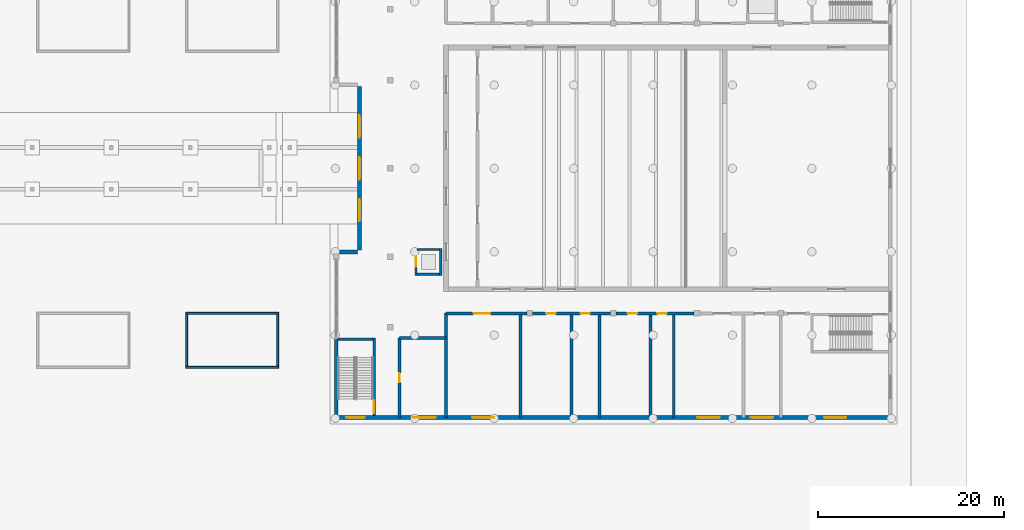
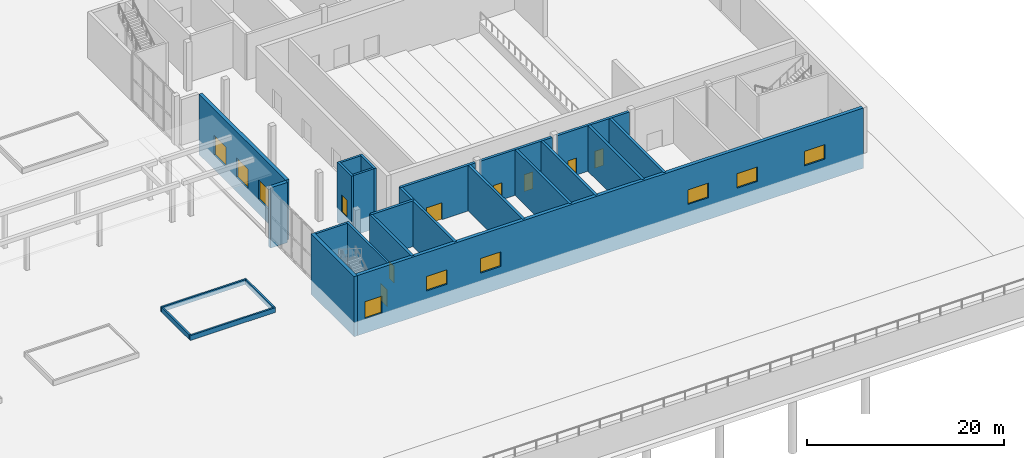
# One storey, part 24 of 47: 25 walls, 12 doors, 5 windows, 17 openings.
"""IFC4 building model written with IfcOpenShell, lengths in metres."""

import ifcopenshell
import ifcopenshell.guid

model = None  # the IFC model being written
_history = None  # IfcOwnerHistory: only IFC2X3 demands one
_inside = {}  # id of a spatial element -> (the spatial element, [elements in it])
_under = {}  # id of a project, library or spatial element -> (it, [spatial elements below it])
_declared = {}  # id of a project -> (the project, [libraries it declares])
_typed = {}  # id of a type object -> (the type object, [elements of that type])
_made_of = {}  # id of a material, layer set ... -> (it, [elements and type objects made of it])


def new_model(schema):
    """Start an empty IFC model of exactly this schema.

    Asked for "IFC4X3", IfcOpenShell would pick the latest addendum, in which some entities
    have other attributes; the version numbers below select the first issue.
    IFC2X3 requires an IfcOwnerHistory on every rooted entity: one is made here for all.
    """
    global model, _history
    if schema == "IFC4X3":
        model = ifcopenshell.file(schema_version=(4, 3, 0, 0))
    else:
        model = ifcopenshell.file(schema=schema)
    _inside.clear()
    _under.clear()
    _declared.clear()
    _typed.clear()
    _made_of.clear()
    _history = None
    if model.schema == "IFC2X3":
        org = make("IfcOrganization", Name="unknown")
        user = make(
            "IfcPersonAndOrganization",
            ThePerson=make("IfcPerson", FamilyName="unknown"),
            TheOrganization=org,
        )
        app = make(
            "IfcApplication",
            ApplicationDeveloper=org,
            Version="unknown",
            ApplicationFullName="unknown",
            ApplicationIdentifier="unknown",
        )
        _history = make(
            "IfcOwnerHistory",
            OwningUser=user,
            OwningApplication=app,
            ChangeAction="ADDED",
            CreationDate=0,
        )
    return model


def make(cls, **values):
    """One entity of the class cls with the attributes given. An attribute that is None is left unset."""
    return model.create_entity(
        cls, **{name: value for name, value in values.items() if value is not None}
    )


def rooted(cls, **values):
    """An entity with a GlobalId (a new one), such as an element, a storey or a relation."""
    return make(cls, GlobalId=ifcopenshell.guid.new(), OwnerHistory=_history, **values)


def si_unit(unit_type, name, prefix=None):
    """IfcSIUnit, for example si_unit("LENGTHUNIT", "METRE", prefix="MILLI")."""
    return make("IfcSIUnit", UnitType=unit_type, Prefix=prefix, Name=name)


def assignment(units):
    """IfcUnitAssignment: the units of a project."""
    return None if units is None else make("IfcUnitAssignment", Units=units)


def point(xyz):
    """IfcCartesianPoint."""
    return None if xyz is None else make("IfcCartesianPoint", Coordinates=xyz)


def direction(xyz):
    """IfcDirection."""
    return None if xyz is None else make("IfcDirection", DirectionRatios=xyz)


def frame(location, z_axis=None, x_axis=None):
    """IfcAxis2Placement3D, a coordinate frame: its origin and axes. An axis left out is left unset."""
    return make(
        "IfcAxis2Placement3D",
        Location=point(location),
        Axis=direction(z_axis),
        RefDirection=direction(x_axis),
    )


def frame_2d(location, x_axis=None):
    """IfcAxis2Placement2D, a coordinate frame in the plane: its origin and x axis."""
    return make(
        "IfcAxis2Placement2D", Location=point(location), RefDirection=direction(x_axis)
    )


def origin():
    """The frame at (0, 0, 0) with its axes left unset."""
    return frame((0.0, 0.0, 0.0))


def place(relative_to, where):
    """IfcLocalPlacement: puts the frame where relative to a parent placement (None: the world)."""
    return make(
        "IfcLocalPlacement", PlacementRelTo=relative_to, RelativePlacement=where
    )


def context(
    kind, dimensions, precision=None, world=None, true_north=None, identifier=None
):
    """IfcGeometricRepresentationContext, for example the 3D "Model" context."""
    return make(
        "IfcGeometricRepresentationContext",
        ContextIdentifier=identifier,
        ContextType=kind,
        CoordinateSpaceDimension=dimensions,
        Precision=precision,
        WorldCoordinateSystem=world,
        TrueNorth=true_north,
    )


def subcontext(parent, identifier, kind, view, scale=None):
    """IfcGeometricRepresentationSubContext, for example "Body" below "Model"."""
    return make(
        "IfcGeometricRepresentationSubContext",
        ContextIdentifier=identifier,
        ContextType=kind,
        ParentContext=parent,
        TargetScale=scale,
        TargetView=view,
    )


def project(units=None, contexts=None):
    """IfcProject with its units and contexts."""
    return rooted(
        "IfcProject",
        Name="project",
        RepresentationContexts=contexts,
        UnitsInContext=assignment(units),
    )


def spatial(cls, under=None, at=None, **own):
    """A site, building, storey or space (cls), placed at a placement, below another one or the project."""
    s = rooted(cls, ObjectPlacement=at, **own)
    if under is not None:
        _under.setdefault(under.id(), (under, []))[1].append(s)
    return s


def profile(cls, at=None, kind="AREA", **sizes):
    """A parametric profile (cls). Its sizes go by their IFC names, for example OverallWidth=200.0."""
    return make(cls, ProfileType=kind, Position=at, **sizes)


def rectangle(**sizes):
    """IfcRectangleProfileDef."""
    return profile("IfcRectangleProfileDef", **sizes)


def extrude(swept, where, along, depth):
    """IfcExtrudedAreaSolid: the profile swept, set in the frame where, extruded along a direction by depth."""
    return make(
        "IfcExtrudedAreaSolid",
        SweptArea=swept,
        Position=where,
        ExtrudedDirection=direction(along),
        Depth=depth,
    )


def shape(context_of_items, identifier, shape_type, items):
    """IfcShapeRepresentation: the items that make up one representation, for example the "Body"."""
    return make(
        "IfcShapeRepresentation",
        ContextOfItems=context_of_items,
        RepresentationIdentifier=identifier,
        RepresentationType=shape_type,
        Items=items,
    )


def material(Name=None, Category=None):
    """IfcMaterial."""
    return make("IfcMaterial", Name=Name, Category=Category)


def layer(
    of_material, thickness, ventilated=None, Name=None, Category=None, Priority=None
):
    """IfcMaterialLayer: one layer of a wall or slab, of a material (None: an air gap)."""
    return make(
        "IfcMaterialLayer",
        Material=of_material,
        LayerThickness=thickness,
        IsVentilated=ventilated,
        Name=Name,
        Category=Category,
        Priority=Priority,
    )


def layer_set(layers, Name=None):
    """IfcMaterialLayerSet."""
    return make("IfcMaterialLayerSet", MaterialLayers=layers, LayerSetName=Name)


def made_of(thing, what):
    """Note that an element or type object is made of a material, layer set ...; save() writes the relation."""
    if what is not None:
        _made_of.setdefault(what.id(), (what, []))[1].append(thing)
    return thing


def type_object(cls, material=None, **own):
    """A type object (cls), such as IfcWallType, which elements share."""
    return made_of(rooted(cls, **own), material)


def element(
    cls,
    number,
    at=None,
    inside=None,
    cuts=None,
    type_object=None,
    material=None,
    context=None,
    identifier="Body",
    shape_type=None,
    held_by="IfcProductDefinitionShape",
    body=None,
    shapes=None,
    **own,
):
    """One element of the class cls, such as IfcWall. Its Tag is "e" and its number.

    at: its placement. inside: the storey or other place that contains it. cuts: it is an
    opening in that element (IfcRelVoidsElement). A single representation is given by context,
    identifier, shape_type and body (its items); several are given by shapes. held_by: the class
    of the entity that holds the representations. save() writes the other relations.
    """
    e = rooted(cls, Tag="e%d" % number, ObjectPlacement=at, **own)
    if body is not None:
        shapes = [shape(context, identifier, shape_type, body)]
    if shapes is not None:
        e.Representation = make(held_by, Representations=shapes)
    if inside is not None:
        _inside.setdefault(inside.id(), (inside, []))[1].append(e)
    if cuts is not None:
        rooted(
            "IfcRelVoidsElement", RelatingBuildingElement=cuts, RelatedOpeningElement=e
        )
    if type_object is not None:
        _typed.setdefault(type_object.id(), (type_object, []))[1].append(e)
    return made_of(e, material)


def fill(opening, filler):
    """IfcRelFillsElement: the door or window that sits in an opening."""
    return rooted(
        "IfcRelFillsElement",
        RelatingOpeningElement=opening,
        RelatedBuildingElement=filler,
    )


def aggregate(whole, parts):
    """IfcRelAggregates: a whole, such as a stair, and the parts it consists of."""
    return rooted("IfcRelAggregates", RelatingObject=whole, RelatedObjects=parts)


def save(model, path):
    """Write the relations noted so far, then the file.

    IfcRelAggregates (storeys below a building ...), IfcRelContainedInSpatialStructure (elements
    in a storey), IfcRelDefinesByType, IfcRelAssociatesMaterial and IfcRelDeclares: one each for
    every whole, place, type object, material and project.
    """
    for whole, parts in _under.values():
        aggregate(whole, parts)
    for where, things in _inside.values():
        rooted(
            "IfcRelContainedInSpatialStructure",
            RelatedElements=things,
            RelatingStructure=where,
        )
    for kind, things in _typed.values():
        rooted("IfcRelDefinesByType", RelatedObjects=things, RelatingType=kind)
    for what, things in _made_of.values():
        rooted("IfcRelAssociatesMaterial", RelatedObjects=things, RelatingMaterial=what)
    for by, libraries in _declared.values():
        rooted("IfcRelDeclares", RelatingContext=by, RelatedDefinitions=libraries)
    model.write(path)


model = new_model("IFC4")

# Units and contexts
model_context = context("Model", 3, precision=1e-05, world=origin(), true_north=direction((0.0, 1.0)))
body_context = subcontext(model_context, "Body", "Model", "MODEL_VIEW")
ifc_project = project(units=[si_unit("LENGTHUNIT", "METRE"), si_unit("AREAUNIT", "SQUARE_METRE"), si_unit("VOLUMEUNIT", "CUBIC_METRE"), si_unit("PLANEANGLEUNIT", "RADIAN"), si_unit("MASSUNIT", "GRAM", prefix="KILO")], contexts=[model_context])

# Site, building, storey
site_placement = place(None, origin())
site = spatial("IfcSite", under=ifc_project, at=site_placement, CompositionType="ELEMENT")
building_placement = place(site_placement, origin())
building = spatial("IfcBuilding", under=site, at=building_placement, Name="Hunhe Ridgeline Campus", CompositionType="ELEMENT")
storey_placement = place(building_placement, origin())
storey = spatial("IfcBuildingStorey", under=building, at=storey_placement, Name="L00", CompositionType="ELEMENT", Elevation=0.0)

# Wall, opening, door
ifc_material_1 = material(Name="Plastered blockwork", Category="masonry")
ifc_layer_1 = layer(ifc_material_1, 0.300048828125)
ifc_layer_set_1 = layer_set([ifc_layer_1], Name="Hall blockwork partition 300")
wall_type_1 = type_object("IfcWallType", Name="Hall blockwork partition 300", PredefinedType="PARTITIONING", material=ifc_layer_set_1)
wall_1_placement = place(storey_placement, frame((157.0, 22.72998046875, 0.0), z_axis=(0.0, 0.0, 1.0), x_axis=(0.0, 1.0, 0.0)))
wall_1 = element("IfcWall", 1, at=wall_1_placement, inside=storey, type_object=wall_type_1, Name="L00 partition", PredefinedType="PARTITIONING", context=body_context, shape_type="SweptSolid", body=[
    extrude(rectangle(XDim=8.5400390625, YDim=0.300048828125, at=frame_2d((4.27001953125, 0.0))), origin(), (0.0, 0.0, 1.0), 5.64990234375),
])
opening_1_placement = place(wall_1_placement, frame((3.75, 0.0, 0.0)))
opening_1 = element("IfcOpeningElement", 2, at=opening_1_placement, cuts=wall_1, Name="Opening HD01", PredefinedType="OPENING", context=body_context, shape_type="SweptSolid", body=[
    extrude(rectangle(XDim=1.0, YDim=2.10009765625, at=frame_2d((0.5, 1.050048828125))), frame((0.0, 0.14990234375, 0.0), z_axis=(0.0, -1.0, 0.0), x_axis=(1.0, 0.0, 0.0)), (0.0, 0.0, 1.0), 0.300048828125),
])
ifc_material_2 = material(Name="Timber", Category="wood")
door_type_1 = type_object("IfcDoorType", Name="Hall timber door 1000x2100", OperationType="NOTDEFINED", PredefinedType="DOOR", material=ifc_material_2)
door_1_placement = place(opening_1_placement, origin())
door_1 = element("IfcDoor", 3, at=door_1_placement, inside=storey, type_object=door_type_1, Name="Box office door", OperationType="SINGLE_SWING_LEFT", OverallHeight=2.10009765625, OverallWidth=1.0, PredefinedType="DOOR", context=body_context, shape_type="SweptSolid", body=[
    extrude(rectangle(XDim=1.0, YDim=2.10009765625, at=frame_2d((0.5, 1.050048828125))), frame((0.0, 0.02490234375, 0.0), z_axis=(0.0, -1.0, 0.0), x_axis=(1.0, 0.0, 0.0)), (0.0, 0.0, 1.0), 0.050048828125),
])
fill(opening_1, door_1)

# Walls
wall_2_placement = place(storey_placement, frame((156.97998046875, 31.25, 0.0), z_axis=(0.0, 0.0, 1.0), x_axis=(1.0, 0.0, 0.0)))
element("IfcWall", 4, at=wall_2_placement, inside=storey, type_object=wall_type_1, Name="L00 partition", PredefinedType="PARTITIONING", context=body_context, shape_type="SweptSolid", body=[
    extrude(rectangle(XDim=5.0400390625, YDim=0.300048828125, at=frame_2d((2.52001953125, 0.0))), origin(), (0.0, 0.0, 1.0), 5.64990234375),
])
for number, where, z_axis, x_axis, name in (
    (5, (162.0, 22.72998046875, 0.0), (0.0, 0.0, 1.0), (0.0, 1.0, 0.0), "L00 partition"),
    (6, (170.0, 22.72998046875, 0.0), (0.0, 0.0, 1.0), (0.0, 1.0, 0.0), "L00 partition"),
):
    element("IfcWall", number, at=place(storey_placement, frame(where, z_axis=z_axis, x_axis=x_axis)), inside=storey, type_object=wall_type_1, Name=name, PredefinedType="PARTITIONING", context=body_context, shape_type="SweptSolid", body=[
        extrude(rectangle(XDim=11.18994140625, YDim=0.300048828125, at=frame_2d((5.594970703125, 0.0))), origin(), (0.0, 0.0, 1.0), 5.64990234375),
    ])

# Wall, opening, door
wall_3_placement = place(storey_placement, frame((161.97998046875, 33.89990234375, 0.0), z_axis=(0.0, 0.0, 1.0), x_axis=(1.0, 0.0, 0.0)))
wall_3 = element("IfcWall", 7, at=wall_3_placement, inside=storey, type_object=wall_type_1, Name="L00 partition", PredefinedType="PARTITIONING", context=body_context, shape_type="SweptSolid", body=[
    extrude(rectangle(XDim=8.719970703125, YDim=0.300048828125, at=frame_2d((4.35986328125, 0.0))), origin(), (0.0, 0.0, 1.0), 5.64990234375),
])
opening_2_placement = place(wall_3_placement, frame((3.0, 0.0, 0.0)))
opening_2 = element("IfcOpeningElement", 8, at=opening_2_placement, cuts=wall_3, Name="Opening HD03", PredefinedType="OPENING", context=body_context, shape_type="SweptSolid", body=[
    extrude(rectangle(XDim=1.800048828125, YDim=2.10009765625, at=frame_2d((0.89990234375, 1.050048828125))), frame((0.0, 0.14990234375, 0.0), z_axis=(0.0, -1.0, 0.0), x_axis=(1.0, 0.0, 0.0)), (0.0, 0.0, 1.0), 0.300048828125),
])
door_type_2 = type_object("IfcDoorType", Name="Hall timber double door 1800x2100", OperationType="DOUBLE_DOOR_SINGLE_SWING", PredefinedType="DOOR", material=ifc_material_2)
door_2_placement = place(opening_2_placement, origin())
door_2 = element("IfcDoor", 9, at=door_2_placement, inside=storey, type_object=door_type_2, Name="Cloakroom door", OperationType="DOUBLE_DOOR_SINGLE_SWING", OverallHeight=2.10009765625, OverallWidth=1.800048828125, PredefinedType="DOOR", context=body_context, shape_type="SweptSolid", body=[
    extrude(rectangle(XDim=1.800048828125, YDim=2.10009765625, at=frame_2d((0.89990234375, 1.050048828125))), frame((0.0, 0.02490234375, 0.0), z_axis=(0.0, -1.0, 0.0), x_axis=(1.0, 0.0, 0.0)), (0.0, 0.0, 1.0), 0.050048828125),
])
fill(opening_2, door_2)

# Wall, openings, doors
wall_4_placement = place(storey_placement, frame((171.300048828125, 33.89990234375, 0.0), z_axis=(0.0, 0.0, 1.0), x_axis=(1.0, 0.0, 0.0)))
wall_4 = element("IfcWall", 10, at=wall_4_placement, inside=storey, type_object=wall_type_1, Name="L00 partition", PredefinedType="PARTITIONING", context=body_context, shape_type="SweptSolid", body=[
    extrude(rectangle(XDim=8.39990234375, YDim=0.300048828125, at=frame_2d((4.199951171875, 0.0))), origin(), (0.0, 0.0, 1.0), 5.64990234375),
])
opening_3_placement = place(wall_4_placement, frame((1.5, 0.0, 0.0)))
opening_3 = element("IfcOpeningElement", 11, at=opening_3_placement, cuts=wall_4, Name="Opening HD04", PredefinedType="OPENING", context=body_context, shape_type="SweptSolid", body=[
    extrude(rectangle(XDim=1.0, YDim=2.10009765625, at=frame_2d((0.5, 1.050048828125))), frame((0.0, 0.14990234375, 0.0), z_axis=(0.0, -1.0, 0.0), x_axis=(1.0, 0.0, 0.0)), (0.0, 0.0, 1.0), 0.300048828125),
])
opening_4_placement = place(wall_4_placement, frame((5.179931640625, 0.0, 0.0)))
opening_4 = element("IfcOpeningElement", 12, at=opening_4_placement, cuts=wall_4, Name="Opening HD05", PredefinedType="OPENING", context=body_context, shape_type="SweptSolid", body=[
    extrude(rectangle(XDim=1.0, YDim=2.10009765625, at=frame_2d((0.5, 1.050048828125))), frame((0.0, 0.14990234375, 0.0), z_axis=(0.0, -1.0, 0.0), x_axis=(1.0, 0.0, 0.0)), (0.0, 0.0, 1.0), 0.300048828125),
])
door_type_3 = type_object("IfcDoorType", Name="Hall accessible WC door 1000x2100", OperationType="NOTDEFINED", PredefinedType="DOOR", material=ifc_material_2)
door_3_placement = place(opening_4_placement, origin())
door_3 = element("IfcDoor", 13, at=door_3_placement, inside=storey, type_object=door_type_3, Name="Accessible WC door", OperationType="SINGLE_SWING_RIGHT", OverallHeight=2.10009765625, OverallWidth=1.0, PredefinedType="DOOR", context=body_context, shape_type="SweptSolid", body=[
    extrude(rectangle(XDim=1.0, YDim=2.10009765625, at=frame_2d((0.5, 1.050048828125))), frame((0.0, 0.02490234375, 0.0), z_axis=(0.0, -1.0, 0.0), x_axis=(1.0, 0.0, 0.0)), (0.0, 0.0, 1.0), 0.050048828125),
])
fill(opening_4, door_3)
door_4_placement = place(opening_3_placement, origin())
door_4 = element("IfcDoor", 14, at=door_4_placement, inside=storey, type_object=door_type_1, Name="Women's WC door", OperationType="SINGLE_SWING_LEFT", OverallHeight=2.10009765625, OverallWidth=1.0, PredefinedType="DOOR", context=body_context, shape_type="SweptSolid", body=[
    extrude(rectangle(XDim=1.0, YDim=2.10009765625, at=frame_2d((0.5, 1.050048828125))), frame((0.0, 0.02490234375, 0.0), z_axis=(0.0, -1.0, 0.0), x_axis=(1.0, 0.0, 0.0)), (0.0, 0.0, 1.0), 0.050048828125),
])
fill(opening_3, door_4)

wall_5_placement = place(storey_placement, frame((180.300048828125, 33.89990234375, 0.0), z_axis=(0.0, 0.0, 1.0), x_axis=(1.0, 0.0, 0.0)))
wall_5 = element("IfcWall", 15, at=wall_5_placement, inside=storey, type_object=wall_type_1, Name="L00 partition", PredefinedType="PARTITIONING", context=body_context, shape_type="SweptSolid", body=[
    extrude(rectangle(XDim=8.39990234375, YDim=0.300048828125, at=frame_2d((4.199951171875, 0.0))), origin(), (0.0, 0.0, 1.0), 5.64990234375),
])
opening_5_placement = place(wall_5_placement, frame((1.25, 0.0, 0.0)))
opening_5 = element("IfcOpeningElement", 16, at=opening_5_placement, cuts=wall_5, Name="Opening HD06", PredefinedType="OPENING", context=body_context, shape_type="SweptSolid", body=[
    extrude(rectangle(XDim=1.0, YDim=2.10009765625, at=frame_2d((0.5, 1.050048828125))), frame((0.0, 0.14990234375, 0.0), z_axis=(0.0, -1.0, 0.0), x_axis=(1.0, 0.0, 0.0)), (0.0, 0.0, 1.0), 0.300048828125),
])
opening_6_placement = place(wall_5_placement, frame((4.429931640625, 0.0, 0.0)))
opening_6 = element("IfcOpeningElement", 17, at=opening_6_placement, cuts=wall_5, Name="Opening HD07", PredefinedType="OPENING", context=body_context, shape_type="SweptSolid", body=[
    extrude(rectangle(XDim=1.0, YDim=2.10009765625, at=frame_2d((0.5, 1.050048828125))), frame((0.0, 0.14990234375, 0.0), z_axis=(0.0, -1.0, 0.0), x_axis=(1.0, 0.0, 0.0)), (0.0, 0.0, 1.0), 0.300048828125),
])
door_5_placement = place(opening_5_placement, origin())
door_5 = element("IfcDoor", 18, at=door_5_placement, inside=storey, type_object=door_type_1, Name="Men's WC door", OperationType="SINGLE_SWING_LEFT", OverallHeight=2.10009765625, OverallWidth=1.0, PredefinedType="DOOR", context=body_context, shape_type="SweptSolid", body=[
    extrude(rectangle(XDim=1.0, YDim=2.10009765625, at=frame_2d((0.5, 1.050048828125))), frame((0.0, 0.02490234375, 0.0), z_axis=(0.0, -1.0, 0.0), x_axis=(1.0, 0.0, 0.0)), (0.0, 0.0, 1.0), 0.050048828125),
])
fill(opening_5, door_5)
door_6_placement = place(opening_6_placement, origin())
door_6 = element("IfcDoor", 19, at=door_6_placement, inside=storey, type_object=door_type_1, Name="Housekeeping store door", OperationType="SINGLE_SWING_RIGHT", OverallHeight=2.10009765625, OverallWidth=1.0, PredefinedType="DOOR", context=body_context, shape_type="SweptSolid", body=[
    extrude(rectangle(XDim=1.0, YDim=2.10009765625, at=frame_2d((0.5, 1.050048828125))), frame((0.0, 0.02490234375, 0.0), z_axis=(0.0, -1.0, 0.0), x_axis=(1.0, 0.0, 0.0)), (0.0, 0.0, 1.0), 0.050048828125),
])
fill(opening_6, door_6)

# Walls
for number, where, z_axis, x_axis, name in (
    (20, (175.5, 22.72998046875, 0.0), (0.0, 0.0, 1.0), (0.0, 1.0, 0.0), "L00 partition"),
    (21, (178.5, 22.72998046875, 0.0), (0.0, 0.0, 1.0), (0.0, 1.0, 0.0), "L00 partition"),
    (22, (184.0, 22.72998046875, 0.0), (0.0, 0.0, 1.0), (0.0, 1.0, 0.0), "L00 partition"),
    (23, (186.5, 22.72998046875, 0.0), (0.0, 0.0, 1.0), (0.0, 1.0, 0.0), "L00 partition"),
):
    element("IfcWall", number, at=place(storey_placement, frame(where, z_axis=z_axis, x_axis=x_axis)), inside=storey, type_object=wall_type_1, Name=name, PredefinedType="PARTITIONING", context=body_context, shape_type="SweptSolid", body=[
        extrude(rectangle(XDim=11.18994140625, YDim=0.300048828125, at=frame_2d((5.594970703125, 0.0))), origin(), (0.0, 0.0, 1.0), 5.64990234375),
    ])
ifc_material_3 = material(Name="Concrete C40", Category="concrete")
ifc_layer_2 = layer(ifc_material_3, 0.39990234375)
ifc_layer_set_2 = layer_set([ifc_layer_2], Name="Hall external RC wall 400 C40")
wall_type_2 = type_object("IfcWallType", Name="Hall external RC wall 400 C40", PredefinedType="SOLIDWALL", material=ifc_layer_set_2)
wall_6_placement = place(storey_placement, frame((150.199951171875, 22.5, -1.800048828125), z_axis=(0.0, 0.0, 1.0), x_axis=(0.0, 1.0, 0.0)))
element("IfcWall", 24, at=wall_6_placement, inside=storey, type_object=wall_type_2, Name="Hall L00 west wall 1", PredefinedType="SOLIDWALL", context=body_context, shape_type="SweptSolid", body=[
    extrude(rectangle(XDim=8.75, YDim=0.39990234375, at=frame_2d((4.375, 0.0))), origin(), (0.0, 0.0, 1.0), 7.449951171875),
])

# Wall, openings, doors
wall_7_placement = place(storey_placement, frame((152.699951171875, 40.699951171875, -1.800048828125), z_axis=(0.0, 0.0, 1.0), x_axis=(0.0, 1.0, 0.0)))
wall_7 = element("IfcWall", 25, at=wall_7_placement, inside=storey, type_object=wall_type_2, Name="Hall entrance wall", PredefinedType="SOLIDWALL", context=body_context, shape_type="SweptSolid", body=[
    extrude(rectangle(XDim=17.60009765625, YDim=0.39990234375, at=frame_2d((8.800048828125, 0.0))), origin(), (0.0, 0.0, 1.0), 7.449951171875),
])
opening_7_placement = place(wall_7_placement, frame((3.10009765625, 0.0, 1.800048828125)))
opening_7 = element("IfcOpeningElement", 26, at=opening_7_placement, cuts=wall_7, Name="Opening HD81", PredefinedType="OPENING", context=body_context, shape_type="SweptSolid", body=[
    extrude(rectangle(XDim=2.39990234375, YDim=2.39990234375, at=frame_2d((1.199951171875, 1.199951171875))), frame((0.0, 0.199951171875, 0.0), z_axis=(0.0, -1.0, 0.0), x_axis=(1.0, 0.0, 0.0)), (0.0, 0.0, 1.0), 0.39990234375),
])
opening_8_placement = place(wall_7_placement, frame((7.60009765625, 0.0, 1.800048828125)))
opening_8 = element("IfcOpeningElement", 27, at=opening_8_placement, cuts=wall_7, Name="Opening HD82", PredefinedType="OPENING", context=body_context, shape_type="SweptSolid", body=[
    extrude(rectangle(XDim=2.39990234375, YDim=2.39990234375, at=frame_2d((1.199951171875, 1.199951171875))), frame((0.0, 0.199951171875, 0.0), z_axis=(0.0, -1.0, 0.0), x_axis=(1.0, 0.0, 0.0)), (0.0, 0.0, 1.0), 0.39990234375),
])
opening_9_placement = place(wall_7_placement, frame((12.10009765625, 0.0, 1.800048828125)))
opening_9 = element("IfcOpeningElement", 28, at=opening_9_placement, cuts=wall_7, Name="Opening HD83", PredefinedType="OPENING", context=body_context, shape_type="SweptSolid", body=[
    extrude(rectangle(XDim=2.39990234375, YDim=2.39990234375, at=frame_2d((1.199951171875, 1.199951171875))), frame((0.0, 0.199951171875, 0.0), z_axis=(0.0, -1.0, 0.0), x_axis=(1.0, 0.0, 0.0)), (0.0, 0.0, 1.0), 0.39990234375),
])
ifc_material_4 = material(Name="Aluminium and glass", Category="aluminium")
door_type_4 = type_object("IfcDoorType", Name="Hall glazed entrance double door 2400x2400", OperationType="DOUBLE_DOOR_SINGLE_SWING", PredefinedType="DOOR", material=ifc_material_4)
door_7_placement = place(opening_7_placement, origin())
door_7 = element("IfcDoor", 29, at=door_7_placement, inside=storey, type_object=door_type_4, Name="Main entrance door", OperationType="DOUBLE_DOOR_SINGLE_SWING", OverallHeight=2.39990234375, OverallWidth=2.39990234375, PredefinedType="DOOR", context=body_context, shape_type="SweptSolid", body=[
    extrude(rectangle(XDim=2.39990234375, YDim=2.39990234375, at=frame_2d((1.199951171875, 1.199951171875))), frame((0.0, 0.02490234375, 0.0), z_axis=(0.0, -1.0, 0.0), x_axis=(1.0, 0.0, 0.0)), (0.0, 0.0, 1.0), 0.050048828125),
])
fill(opening_7, door_7)
door_8_placement = place(opening_8_placement, origin())
door_8 = element("IfcDoor", 30, at=door_8_placement, inside=storey, type_object=door_type_4, Name="Main entrance door", OperationType="DOUBLE_DOOR_SINGLE_SWING", OverallHeight=2.39990234375, OverallWidth=2.39990234375, PredefinedType="DOOR", context=body_context, shape_type="SweptSolid", body=[
    extrude(rectangle(XDim=2.39990234375, YDim=2.39990234375, at=frame_2d((1.199951171875, 1.199951171875))), frame((0.0, 0.02490234375, 0.0), z_axis=(0.0, -1.0, 0.0), x_axis=(1.0, 0.0, 0.0)), (0.0, 0.0, 1.0), 0.050048828125),
])
fill(opening_8, door_8)
door_9_placement = place(opening_9_placement, origin())
door_9 = element("IfcDoor", 31, at=door_9_placement, inside=storey, type_object=door_type_4, Name="Main entrance door", OperationType="DOUBLE_DOOR_SINGLE_SWING", OverallHeight=2.39990234375, OverallWidth=2.39990234375, PredefinedType="DOOR", context=body_context, shape_type="SweptSolid", body=[
    extrude(rectangle(XDim=2.39990234375, YDim=2.39990234375, at=frame_2d((1.199951171875, 1.199951171875))), frame((0.0, 0.02490234375, 0.0), z_axis=(0.0, -1.0, 0.0), x_axis=(1.0, 0.0, 0.0)), (0.0, 0.0, 1.0), 0.050048828125),
])
fill(opening_9, door_9)

# Wall
wall_8_placement = place(storey_placement, frame((150.5, 40.5, -1.800048828125), z_axis=(0.0, 0.0, 1.0), x_axis=(1.0, 0.0, 0.0)))
element("IfcWall", 32, at=wall_8_placement, inside=storey, type_object=wall_type_2, Name="Hall entrance return south", PredefinedType="SOLIDWALL", context=body_context, shape_type="SweptSolid", body=[
    extrude(rectangle(XDim=2.0, YDim=0.39990234375, at=frame_2d((1.0, 0.0))), origin(), (0.0, 0.0, 1.0), 7.449951171875),
])

# Wall, openings, door, windows
wall_9_placement = place(storey_placement, frame((209.60009765625, 22.699951171875, -1.800048828125), z_axis=(0.0, 0.0, 1.0), x_axis=(-1.0, 0.0, 0.0)))
wall_9 = element("IfcWall", 33, at=wall_9_placement, inside=storey, type_object=wall_type_2, Name="Hall L00 south wall", PredefinedType="SOLIDWALL", context=body_context, shape_type="SweptSolid", body=[
    extrude(rectangle(XDim=59.2001953125, YDim=0.39990234375, at=frame_2d((29.60009765625, 0.0))), origin(), (0.0, 0.0, 1.0), 7.449951171875),
])
opening_10_placement = place(wall_9_placement, frame((56.324951171875, 0.0, 1.800048828125)))
opening_10 = element("IfcOpeningElement", 34, at=opening_10_placement, cuts=wall_9, Name="Opening HD84", PredefinedType="OPENING", context=body_context, shape_type="SweptSolid", body=[
    extrude(rectangle(XDim=2.0, YDim=2.10009765625, at=frame_2d((1.0, 1.050048828125))), frame((0.0, 0.199951171875, 0.0), z_axis=(0.0, -1.0, 0.0), x_axis=(1.0, 0.0, 0.0)), (0.0, 0.0, 1.0), 0.39990234375),
])
opening_11_placement = place(wall_9_placement, frame((48.699951171875, 0.0, 2.699951171875)))
opening_11 = element("IfcOpeningElement", 35, at=opening_11_placement, cuts=wall_9, Name="Opening HWN01", PredefinedType="OPENING", context=body_context, shape_type="SweptSolid", body=[
    extrude(rectangle(XDim=2.39990234375, YDim=1.800048828125, at=frame_2d((1.199951171875, 0.89990234375))), frame((0.0, 0.199951171875, 0.0), z_axis=(0.0, -1.0, 0.0), x_axis=(1.0, 0.0, 0.0)), (0.0, 0.0, 1.0), 0.39990234375),
])
opening_12_placement = place(wall_9_placement, frame((42.39990234375, 0.0, 2.699951171875)))
opening_12 = element("IfcOpeningElement", 36, at=opening_12_placement, cuts=wall_9, Name="Opening HWN13", PredefinedType="OPENING", context=body_context, shape_type="SweptSolid", body=[
    extrude(rectangle(XDim=2.39990234375, YDim=1.800048828125, at=frame_2d((1.199951171875, 0.89990234375))), frame((0.0, 0.199951171875, 0.0), z_axis=(0.0, -1.0, 0.0), x_axis=(1.0, 0.0, 0.0)), (0.0, 0.0, 1.0), 0.39990234375),
])
opening_13_placement = place(wall_9_placement, frame((18.14990234375, 0.0, 2.699951171875)))
opening_13 = element("IfcOpeningElement", 37, at=opening_13_placement, cuts=wall_9, Name="Opening HWN14", PredefinedType="OPENING", context=body_context, shape_type="SweptSolid", body=[
    extrude(rectangle(XDim=2.39990234375, YDim=1.800048828125, at=frame_2d((1.199951171875, 0.89990234375))), frame((0.0, 0.199951171875, 0.0), z_axis=(0.0, -1.0, 0.0), x_axis=(1.0, 0.0, 0.0)), (0.0, 0.0, 1.0), 0.39990234375),
])
opening_14_placement = place(wall_9_placement, frame((12.39990234375, 0.0, 2.699951171875)))
opening_14 = element("IfcOpeningElement", 38, at=opening_14_placement, cuts=wall_9, Name="Opening HWN15", PredefinedType="OPENING", context=body_context, shape_type="SweptSolid", body=[
    extrude(rectangle(XDim=2.39990234375, YDim=1.800048828125, at=frame_2d((1.199951171875, 0.89990234375))), frame((0.0, 0.199951171875, 0.0), z_axis=(0.0, -1.0, 0.0), x_axis=(1.0, 0.0, 0.0)), (0.0, 0.0, 1.0), 0.39990234375),
])
opening_15_placement = place(wall_9_placement, frame((4.52001953125, 0.0, 2.699951171875)))
opening_15 = element("IfcOpeningElement", 39, at=opening_15_placement, cuts=wall_9, Name="Opening HWN16", PredefinedType="OPENING", context=body_context, shape_type="SweptSolid", body=[
    extrude(rectangle(XDim=2.39990234375, YDim=1.800048828125, at=frame_2d((1.199951171875, 0.89990234375))), frame((0.0, 0.199951171875, 0.0), z_axis=(0.0, -1.0, 0.0), x_axis=(1.0, 0.0, 0.0)), (0.0, 0.0, 1.0), 0.39990234375),
])
ifc_material_5 = material(Name="Steel Q235", Category="steel")
door_type_5 = type_object("IfcDoorType", Name="Hall fire double door 2000x2100 FD60", OperationType="DOUBLE_DOOR_SINGLE_SWING", PredefinedType="DOOR", material=ifc_material_5)
door_10_placement = place(opening_10_placement, origin())
door_10 = element("IfcDoor", 40, at=door_10_placement, inside=storey, type_object=door_type_5, Name="Stair HS1 exit door", OperationType="DOUBLE_DOOR_SINGLE_SWING", OverallHeight=2.10009765625, OverallWidth=2.0, PredefinedType="DOOR", context=body_context, shape_type="SweptSolid", body=[
    extrude(rectangle(XDim=2.0, YDim=2.10009765625, at=frame_2d((1.0, 1.050048828125))), frame((0.0, 0.02490234375, 0.0), z_axis=(0.0, -1.0, 0.0), x_axis=(1.0, 0.0, 0.0)), (0.0, 0.0, 1.0), 0.050048828125),
])
fill(opening_10, door_10)
window_type = type_object("IfcWindowType", Name="Hall window 2400x1800", PartitioningType="SINGLE_PANEL", PredefinedType="WINDOW", material=ifc_material_4)
window_1_placement = place(opening_11_placement, origin())
window_1 = element("IfcWindow", 41, at=window_1_placement, inside=storey, type_object=window_type, Name="L00 window", OverallHeight=1.800048828125, OverallWidth=2.39990234375, PartitioningType="SINGLE_PANEL", PredefinedType="WINDOW", context=body_context, shape_type="SweptSolid", body=[
    extrude(rectangle(XDim=2.39990234375, YDim=1.800048828125, at=frame_2d((1.199951171875, 0.89990234375))), frame((0.0, 0.030029296875, 0.0), z_axis=(0.0, -1.0, 0.0), x_axis=(1.0, 0.0, 0.0)), (0.0, 0.0, 1.0), 0.06005859375),
])
fill(opening_11, window_1)
window_2_placement = place(opening_12_placement, origin())
window_2 = element("IfcWindow", 42, at=window_2_placement, inside=storey, type_object=window_type, Name="L00 window", OverallHeight=1.800048828125, OverallWidth=2.39990234375, PartitioningType="SINGLE_PANEL", PredefinedType="WINDOW", context=body_context, shape_type="SweptSolid", body=[
    extrude(rectangle(XDim=2.39990234375, YDim=1.800048828125, at=frame_2d((1.199951171875, 0.89990234375))), frame((0.0, 0.030029296875, 0.0), z_axis=(0.0, -1.0, 0.0), x_axis=(1.0, 0.0, 0.0)), (0.0, 0.0, 1.0), 0.06005859375),
])
fill(opening_12, window_2)
window_3_placement = place(opening_13_placement, origin())
window_3 = element("IfcWindow", 43, at=window_3_placement, inside=storey, type_object=window_type, Name="L00 window", OverallHeight=1.800048828125, OverallWidth=2.39990234375, PartitioningType="SINGLE_PANEL", PredefinedType="WINDOW", context=body_context, shape_type="SweptSolid", body=[
    extrude(rectangle(XDim=2.39990234375, YDim=1.800048828125, at=frame_2d((1.199951171875, 0.89990234375))), frame((0.0, 0.030029296875, 0.0), z_axis=(0.0, -1.0, 0.0), x_axis=(1.0, 0.0, 0.0)), (0.0, 0.0, 1.0), 0.06005859375),
])
fill(opening_13, window_3)
window_4_placement = place(opening_14_placement, origin())
window_4 = element("IfcWindow", 44, at=window_4_placement, inside=storey, type_object=window_type, Name="L00 window", OverallHeight=1.800048828125, OverallWidth=2.39990234375, PartitioningType="SINGLE_PANEL", PredefinedType="WINDOW", context=body_context, shape_type="SweptSolid", body=[
    extrude(rectangle(XDim=2.39990234375, YDim=1.800048828125, at=frame_2d((1.199951171875, 0.89990234375))), frame((0.0, 0.030029296875, 0.0), z_axis=(0.0, -1.0, 0.0), x_axis=(1.0, 0.0, 0.0)), (0.0, 0.0, 1.0), 0.06005859375),
])
fill(opening_14, window_4)
window_5_placement = place(opening_15_placement, origin())
window_5 = element("IfcWindow", 45, at=window_5_placement, inside=storey, type_object=window_type, Name="L00 window", OverallHeight=1.800048828125, OverallWidth=2.39990234375, PartitioningType="SINGLE_PANEL", PredefinedType="WINDOW", context=body_context, shape_type="SweptSolid", body=[
    extrude(rectangle(XDim=2.39990234375, YDim=1.800048828125, at=frame_2d((1.199951171875, 0.89990234375))), frame((0.0, 0.030029296875, 0.0), z_axis=(0.0, -1.0, 0.0), x_axis=(1.0, 0.0, 0.0)), (0.0, 0.0, 1.0), 0.06005859375),
])
fill(opening_15, window_5)

# Wall, opening, door
ifc_layer_3 = layer(ifc_material_3, 0.25)
ifc_layer_set_3 = layer_set([ifc_layer_3], Name="Hall shaft wall 250 C40")
wall_type_3 = type_object("IfcWallType", Name="Hall shaft wall 250 C40", PredefinedType="SOLIDWALL", material=ifc_layer_set_3)
wall_10_placement = place(storey_placement, frame((154.27490234375, 31.25, -1.800048828125), z_axis=(0.0, 0.0, 1.0), x_axis=(0.0, -1.0, 0.0)))
wall_10 = element("IfcWall", 46, at=wall_10_placement, inside=storey, type_object=wall_type_3, Name="L00 stair HS1 shaft wall", PredefinedType="SOLIDWALL", context=body_context, shape_type="SweptSolid", body=[
    extrude(rectangle(XDim=8.35009765625, YDim=0.25, at=frame_2d((4.175048828125, 0.0))), origin(), (0.0, 0.0, 1.0), 7.449951171875),
])
opening_16_placement = place(wall_10_placement, frame((6.699951171875, 0.0, 1.800048828125)))
opening_16 = element("IfcOpeningElement", 47, at=opening_16_placement, cuts=wall_10, Name="Opening HD93", PredefinedType="OPENING", context=body_context, shape_type="SweptSolid", body=[
    extrude(rectangle(XDim=1.39990234375, YDim=2.10009765625, at=frame_2d((0.699951171875, 1.050048828125))), frame((0.0, 0.125, 0.0), z_axis=(0.0, -1.0, 0.0), x_axis=(1.0, 0.0, 0.0)), (0.0, 0.0, 1.0), 0.25),
])
door_type_6 = type_object("IfcDoorType", Name="Hall fire door 1400x2100 FD60", OperationType="NOTDEFINED", PredefinedType="DOOR", material=ifc_material_5)
door_11_placement = place(opening_16_placement, origin())
door_11 = element("IfcDoor", 48, at=door_11_placement, inside=storey, type_object=door_type_6, Name="L00 stair HS1 door", OperationType="SINGLE_SWING_LEFT", OverallHeight=2.10009765625, OverallWidth=1.39990234375, PredefinedType="DOOR", context=body_context, shape_type="SweptSolid", body=[
    extrude(rectangle(XDim=1.39990234375, YDim=2.10009765625, at=frame_2d((0.699951171875, 1.050048828125))), frame((0.0, 0.02490234375, 0.0), z_axis=(0.0, -1.0, 0.0), x_axis=(1.0, 0.0, 0.0)), (0.0, 0.0, 1.0), 0.050048828125),
])
fill(opening_16, door_11)

# Wall
wall_11_placement = place(storey_placement, frame((150.39990234375, 31.125, -1.800048828125), z_axis=(0.0, 0.0, 1.0), x_axis=(1.0, 0.0, 0.0)))
element("IfcWall", 49, at=wall_11_placement, inside=storey, type_object=wall_type_3, Name="L00 stair HS1 shaft wall", PredefinedType="SOLIDWALL", context=body_context, shape_type="SweptSolid", body=[
    extrude(rectangle(XDim=3.75, YDim=0.25, at=frame_2d((1.875, 0.0))), origin(), (0.0, 0.0, 1.0), 7.449951171875),
])

# Wall, opening, door
wall_12_placement = place(storey_placement, frame((158.77490234375, 38.0, -1.800048828125), z_axis=(0.0, 0.0, 1.0), x_axis=(0.0, 1.0, 0.0)))
wall_12 = element("IfcWall", 50, at=wall_12_placement, inside=storey, type_object=wall_type_3, Name="L00 lift HL1 shaft wall", PredefinedType="SOLIDWALL", context=body_context, shape_type="SweptSolid", body=[
    extrude(rectangle(XDim=2.89990234375, YDim=0.25, at=frame_2d((1.449951171875, 0.0))), origin(), (0.0, 0.0, 1.0), 7.449951171875),
])
opening_17_placement = place(wall_12_placement, frame((0.89990234375, 0.0, 1.800048828125)))
opening_17 = element("IfcOpeningElement", 51, at=opening_17_placement, cuts=wall_12, Name="Opening LD", PredefinedType="OPENING", context=body_context, shape_type="SweptSolid", body=[
    extrude(rectangle(XDim=1.10009765625, YDim=2.10009765625, at=frame_2d((0.550048828125, 1.050048828125))), frame((0.0, 0.125, 0.0), z_axis=(0.0, -1.0, 0.0), x_axis=(1.0, 0.0, 0.0)), (0.0, 0.0, 1.0), 0.25),
])
ifc_material_6 = material(Name="Stainless steel sliding leaves", Category="steel")
door_type_7 = type_object("IfcDoorType", Name="Hall lift landing door 1100x2100", OperationType="SLIDING_TO_LEFT", PredefinedType="DOOR", material=ifc_material_6)
door_12_placement = place(opening_17_placement, origin())
door_12 = element("IfcDoor", 52, at=door_12_placement, inside=storey, type_object=door_type_7, Name="L00 lift HL1 landing door", OperationType="SLIDING_TO_LEFT", OverallHeight=2.10009765625, OverallWidth=1.10009765625, PredefinedType="DOOR", context=body_context, shape_type="SweptSolid", body=[
    extrude(rectangle(XDim=1.10009765625, YDim=2.10009765625, at=frame_2d((0.550048828125, 1.050048828125))), frame((0.0, 0.02490234375, 0.0), z_axis=(0.0, -1.0, 0.0), x_axis=(1.0, 0.0, 0.0)), (0.0, 0.0, 1.0), 0.050048828125),
])
fill(opening_17, door_12)

# Walls
wall_13_placement = place(storey_placement, frame((161.425048828125, 40.89990234375, -1.800048828125), z_axis=(0.0, 0.0, 1.0), x_axis=(0.0, -1.0, 0.0)))
element("IfcWall", 53, at=wall_13_placement, inside=storey, type_object=wall_type_3, Name="L00 lift HL1 shaft wall", PredefinedType="SOLIDWALL", context=body_context, shape_type="SweptSolid", body=[
    extrude(rectangle(XDim=2.89990234375, YDim=0.25, at=frame_2d((1.449951171875, 0.0))), origin(), (0.0, 0.0, 1.0), 7.449951171875),
])
for number, where, z_axis, x_axis, name in (
    (54, (161.300048828125, 38.125, -1.800048828125), (0.0, 0.0, 1.0), (-1.0, 0.0, 0.0), "L00 lift HL1 shaft wall"),
    (55, (158.89990234375, 40.77490234375, -1.800048828125), (0.0, 0.0, 1.0), (1.0, 0.0, 0.0), "L00 lift HL1 shaft wall"),
):
    element("IfcWall", number, at=place(storey_placement, frame(where, z_axis=z_axis, x_axis=x_axis)), inside=storey, type_object=wall_type_3, Name=name, PredefinedType="SOLIDWALL", context=body_context, shape_type="SweptSolid", body=[
        extrude(rectangle(XDim=2.400146484375, YDim=0.25, at=frame_2d((1.2001953125, 0.0))), origin(), (0.0, 0.0, 1.0), 7.449951171875),
    ])
ifc_material_7 = material(Name="Concrete C30", Category="concrete")
ifc_layer_4 = layer(ifc_material_7, 0.199951171875)
ifc_layer_set_4 = layer_set([ifc_layer_4], Name="Planter kerb wall 200 C30")
wall_type_4 = type_object("IfcWallType", Name="Planter kerb wall 200 C30", PredefinedType="SOLIDWALL", material=ifc_layer_set_4)
wall_14_placement = place(storey_placement, frame((134.0, 28.10009765625, 0.0), z_axis=(0.0, 0.0, 1.0), x_axis=(1.0, 0.0, 0.0)))
element("IfcWall", 56, at=wall_14_placement, inside=storey, type_object=wall_type_4, Name="Garden planter 3 kerb", PredefinedType="SOLIDWALL", context=body_context, shape_type="SweptSolid", body=[
    extrude(rectangle(XDim=10.0, YDim=0.199951171875, at=frame_2d((5.0, 0.0))), origin(), (0.0, 0.0, 1.0), 0.60009765625),
])
wall_15_placement = place(storey_placement, frame((143.89990234375, 28.199951171875, 0.0), z_axis=(0.0, 0.0, 1.0), x_axis=(0.0, 1.0, 0.0)))
element("IfcWall", 57, at=wall_15_placement, inside=storey, type_object=wall_type_4, Name="Garden planter 3 kerb", PredefinedType="SOLIDWALL", context=body_context, shape_type="SweptSolid", body=[
    extrude(rectangle(XDim=5.60009765625, YDim=0.199951171875, at=frame_2d((2.800048828125, 0.0))), origin(), (0.0, 0.0, 1.0), 0.60009765625),
])
wall_16_placement = place(storey_placement, frame((144.0, 33.89990234375, 0.0), z_axis=(0.0, 0.0, 1.0), x_axis=(-1.0, 0.0, 0.0)))
element("IfcWall", 58, at=wall_16_placement, inside=storey, type_object=wall_type_4, Name="Garden planter 3 kerb", PredefinedType="SOLIDWALL", context=body_context, shape_type="SweptSolid", body=[
    extrude(rectangle(XDim=10.0, YDim=0.199951171875, at=frame_2d((5.0, 0.0))), origin(), (0.0, 0.0, 1.0), 0.60009765625),
])
wall_17_placement = place(storey_placement, frame((134.10009765625, 33.800048828125, 0.0), z_axis=(0.0, 0.0, 1.0), x_axis=(0.0, -1.0, 0.0)))
element("IfcWall", 59, at=wall_17_placement, inside=storey, type_object=wall_type_4, Name="Garden planter 3 kerb", PredefinedType="SOLIDWALL", context=body_context, shape_type="SweptSolid", body=[
    extrude(rectangle(XDim=5.60009765625, YDim=0.199951171875, at=frame_2d((2.800048828125, 0.0))), origin(), (0.0, 0.0, 1.0), 0.60009765625),
])

save(model, "model.ifc")
